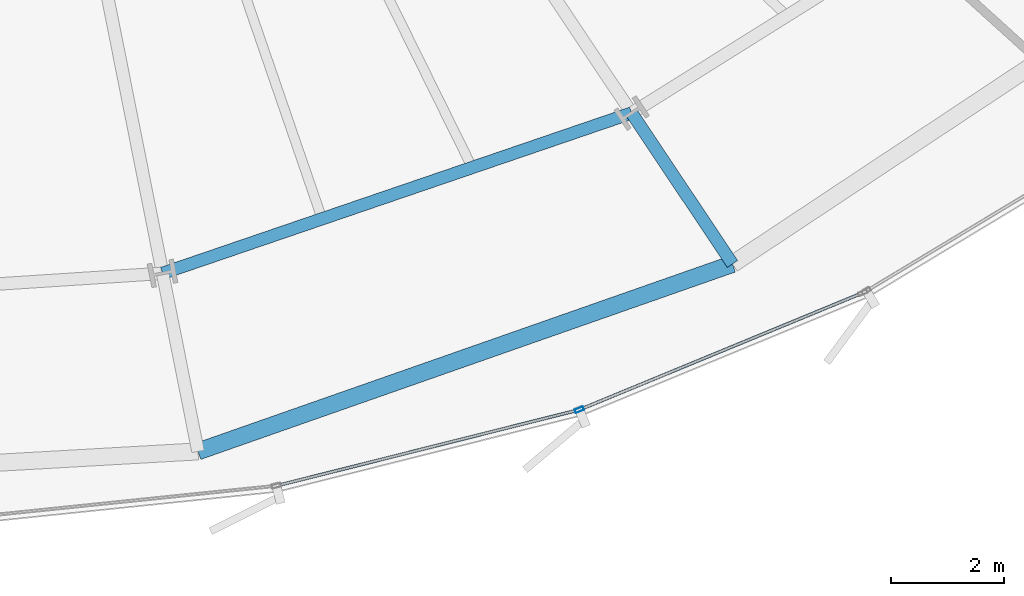
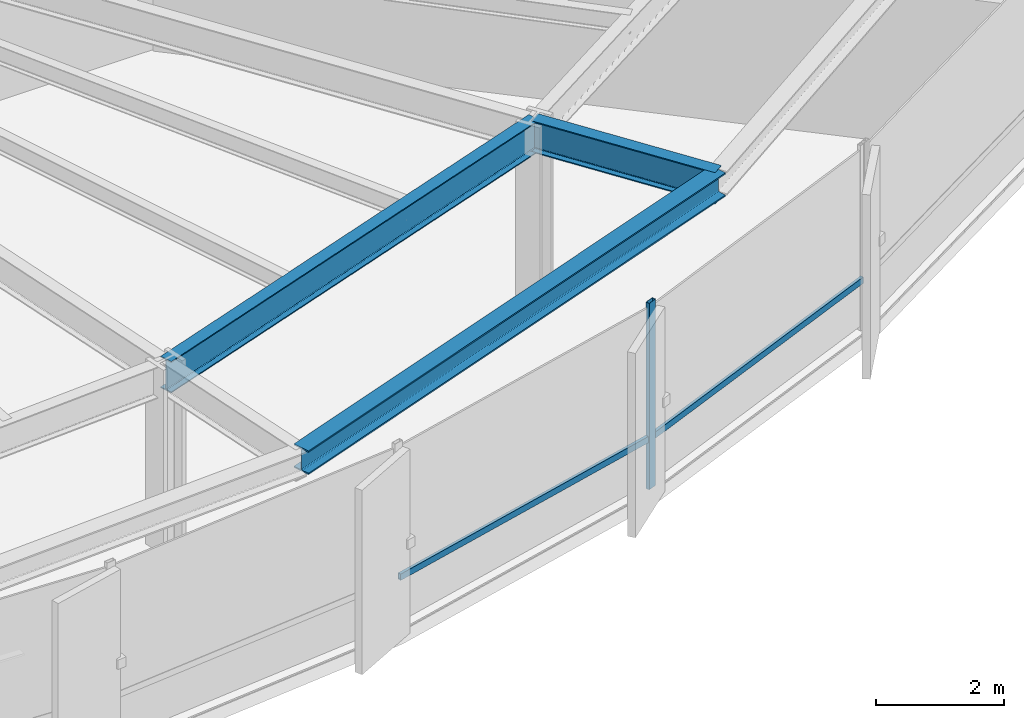
# One storey, part 12 of 42: 3 beams, 3 members, 1 element without a shape of its own.
"""IFC4 building model written with IfcOpenShell, lengths in metres."""

from ifc_helpers import new_model, si_unit, direction, frame, origin, origin_2d, place, context, subcontext, project, spatial, hollow_rectangle, i_section, extrude, source, transform, mapped, material, layer, layer_set, material_profile, profile_set, type_object, element, aggregate, save


model = new_model("IFC4")

# Units and contexts
model_context = context("Model", 3, precision=1e-05, world=origin(), true_north=direction((0.0, 1.0)))
body_context = subcontext(model_context, "Body", "Model", "MODEL_VIEW")
ifc_project = project(units=[si_unit("LENGTHUNIT", "METRE"), si_unit("AREAUNIT", "SQUARE_METRE"), si_unit("VOLUMEUNIT", "CUBIC_METRE"), si_unit("PLANEANGLEUNIT", "RADIAN"), si_unit("MASSUNIT", "GRAM", prefix="KILO"), si_unit("THERMODYNAMICTEMPERATUREUNIT", "KELVIN")], contexts=[model_context])

# Site, building, storey
site_placement = place(None, origin())
site = spatial("IfcSite", under=ifc_project, at=site_placement, CompositionType="ELEMENT")
building_placement = place(site_placement, origin())
building = spatial("IfcBuilding", under=site, at=building_placement, Name="Kethvar Cultural Tower", CompositionType="ELEMENT")
storey_placement = place(building_placement, frame((0.0, 0.0, 37.199951171875)))
storey = spatial("IfcBuildingStorey", under=building, at=storey_placement, Name="L08", CompositionType="ELEMENT", Elevation=37.199951171875)

# Beams
ifc_material_1 = material(Name="Steel S355J2", Category="steel")
ifc_material_profile_1 = material_profile(ifc_material_1, i_section(OverallWidth=0.219970703125, OverallDepth=0.60009765625, WebThickness=0.011962890625, FlangeThickness=0.01904296875, FilletRadius=0.02392578125, at=origin_2d()), Name="Steel S355J2 — IPE600")
ifc_profile_set_1 = profile_set([ifc_material_profile_1], Name="Steel S355J2 — IPE600")
beam_type_1 = type_object("IfcBeamType", Name="BM-IPE600", PredefinedType="BEAM", material=ifc_profile_set_1)
shared_shape_1 = source(origin(), body_context, "Body", "SweptSolid", [
    extrude(i_section(OverallWidth=0.219970703125, OverallDepth=0.60009765625, WebThickness=0.011962890625, FlangeThickness=0.01904296875, FilletRadius=0.02392578125, at=origin_2d()), origin(), (0.0, 0.0, 1.0), 3.199951171875),
])
beam_1_placement = place(storey_placement, frame((59.370361328125, 8.987060546875, 3.248046875), z_axis=(0.555580212716, -0.831462943996, 0.0), x_axis=(0.831462943996, 0.555580212716, 0.0)))
element("IfcBeam", 1, at=beam_1_placement, inside=storey, type_object=beam_type_1, Name="L08 Perimeter Cantilever Beam RC-14", PredefinedType="BEAM", context=body_context, shape_type="MappedRepresentation", body=[
    mapped(shared_shape_1, transform((0.0, 0.0, 0.0), scale=1.0)),
])
shared_shape_2 = source(origin(), body_context, "Body", "SweptSolid", [
    extrude(i_section(OverallWidth=0.219970703125, OverallDepth=0.60009765625, WebThickness=0.011962890625, FlangeThickness=0.01904296875, FilletRadius=0.02392578125, at=origin_2d()), origin(), (0.0, 0.0, 1.0), 8.735595703125),
])
beam_2_placement = place(storey_placement, frame((51.10400390625, 6.16259765625, 3.248046875), z_axis=(0.946286676119, 0.323328821171, 0.0), x_axis=(-0.323328821171, 0.946286676119, 0.0)))
element("IfcBeam", 2, at=beam_2_placement, inside=storey, type_object=beam_type_1, Name="L08 Column Ring Tie Beam CR-13", PredefinedType="BEAM", context=body_context, shape_type="MappedRepresentation", body=[
    mapped(shared_shape_2, transform((0.0, 0.0, 0.0), scale=1.0)),
])
ifc_material_profile_2 = material_profile(ifc_material_1, i_section(OverallWidth=0.300048828125, OverallDepth=0.449951171875, WebThickness=0.013916015625, FlangeThickness=0.02587890625, FilletRadius=0.027099609375, at=origin_2d()), Name="Steel S355J2 — HEB450")
ifc_profile_set_2 = profile_set([ifc_material_profile_2], Name="Steel S355J2 — HEB450")
beam_type_2 = type_object("IfcBeamType", Name="BM-SP450", PredefinedType="SPANDREL", material=ifc_profile_set_2)
shared_shape_3 = source(origin(), body_context, "Body", "SweptSolid", [
    extrude(i_section(OverallWidth=0.300048828125, OverallDepth=0.449951171875, WebThickness=0.013916015625, FlangeThickness=0.02587890625, FilletRadius=0.027099609375, at=origin_2d()), origin(), (0.0, 0.0, 1.0), 9.98193359375),
])
beam_3_placement = place(storey_placement, frame((51.728271484375, 3.024169921875, 3.322998046875), z_axis=(0.943693514159, 0.330821026138, 0.0), x_axis=(-0.330821026138, 0.943693514159, 0.0)))
element("IfcBeam", 3, at=beam_3_placement, inside=storey, type_object=beam_type_2, Name="L08 Perimeter Spandrel Beam SP-13", PredefinedType="SPANDREL", context=body_context, shape_type="MappedRepresentation", body=[
    mapped(shared_shape_3, transform((0.0, 0.0, 0.0), scale=1.0)),
])

# Curtain wall, members
ifc_material_2 = material(Name="Aluminium 6063-T6", Category="aluminium")
ifc_layer = layer(ifc_material_2, 0.179931640625, Name="Aluminium 6063-T6", Category="aluminium")
ifc_layer_set = layer_set([ifc_layer], Name="Aluminium 6063-T6 (180 mm)")
curtain_wall_type = type_object("IfcCurtainWallType", Name="CW-SYS-02-Z1", PredefinedType="NOTDEFINED", material=ifc_layer_set)
curtain_wall_placement = place(storey_placement, origin())
curtain_wall = element("IfcCurtainWall", 4, at=curtain_wall_placement, inside=storey, type_object=curtain_wall_type, Name="L08 Curtain Wall Run 05", PredefinedType="NOTDEFINED")
ifc_material_profile_3 = material_profile(ifc_material_2, hollow_rectangle(XDim=0.06494140625, YDim=0.159912109375, WallThickness=0.0048828125, at=origin_2d()), Name="Aluminium 6063-T6 — RHS160x65x5")
ifc_profile_set_3 = profile_set([ifc_material_profile_3], Name="Aluminium 6063-T6 — RHS160x65x5")
member_type_1 = type_object("IfcMemberType", Name="CW-SYS-02-Z1-MUL", PredefinedType="MULLION", material=ifc_profile_set_3)
shared_shape_4 = source(origin(), body_context, "Body", "SweptSolid", [
    extrude(hollow_rectangle(XDim=0.06494140625, YDim=0.159912109375, WallThickness=0.0048828125, at=origin_2d()), origin(), (0.0, 0.0, 1.0), 3.550048828125),
])
member_1_placement = place(storey_placement, frame((58.448486328125, 3.7568359375, 0.0), z_axis=(0.0, 0.0, 1.0), x_axis=(-0.381635078249, 0.92431307848, 0.0)))
member_1 = element("IfcMember", 5, at=member_1_placement, type_object=member_type_1, Name="CW-L08-R05 Mullion 6", PredefinedType="MULLION", context=body_context, shape_type="MappedRepresentation", body=[
    mapped(shared_shape_4, transform((0.0, 0.0, 0.0), scale=1.0)),
])
ifc_material_profile_4 = material_profile(ifc_material_2, hollow_rectangle(XDim=0.054931640625, YDim=0.1201171875, WallThickness=0.00390625, at=origin_2d()), Name="Aluminium 6063-T6 — RHS120x55x4")
ifc_profile_set_4 = profile_set([ifc_material_profile_4], Name="Aluminium 6063-T6 — RHS120x55x4")
member_type_2 = type_object("IfcMemberType", Name="CW-SYS-02-Z1-TRN", PredefinedType="USERDEFINED", material=ifc_profile_set_4)
shared_shape_5 = source(origin(), body_context, "Body", "SweptSolid", [
    extrude(hollow_rectangle(XDim=0.054931640625, YDim=0.1201171875, WallThickness=0.00390625, at=origin_2d()), origin(), (0.0, 0.0, 1.0), 5.42919921875),
])
member_2_placement = place(storey_placement, frame((53.154052734375, 2.427978515625, 0.949951171875), z_axis=(0.969856152138, 0.243678156919, 0.0), x_axis=(-0.243678156919, 0.969856152138, 0.0)))
member_2 = element("IfcMember", 6, at=member_2_placement, type_object=member_type_2, Name="CW-L08-R05 Transom 5", ObjectType="TRANSOM", PredefinedType="USERDEFINED", context=body_context, shape_type="MappedRepresentation", body=[
    mapped(shared_shape_5, transform((0.0, 0.0, 0.0), scale=1.0)),
])
shared_shape_6 = source(origin(), body_context, "Body", "SweptSolid", [
    extrude(hollow_rectangle(XDim=0.054931640625, YDim=0.1201171875, WallThickness=0.00390625, at=origin_2d()), origin(), (0.0, 0.0, 1.0), 5.3583984375),
])
member_3_placement = place(storey_placement, frame((58.49169921875, 3.774658203125, 0.949951171875), z_axis=(0.92431628632, 0.381627308829, 0.0), x_axis=(-0.381627308829, 0.92431628632, 0.0)))
member_3 = element("IfcMember", 7, at=member_3_placement, type_object=member_type_2, Name="CW-L08-R05 Transom 6", ObjectType="TRANSOM", PredefinedType="USERDEFINED", context=body_context, shape_type="MappedRepresentation", body=[
    mapped(shared_shape_6, transform((0.0, 0.0, 0.0), scale=1.0)),
])
aggregate(curtain_wall, [member_1, member_2, member_3])

save(model, "model.ifc")
